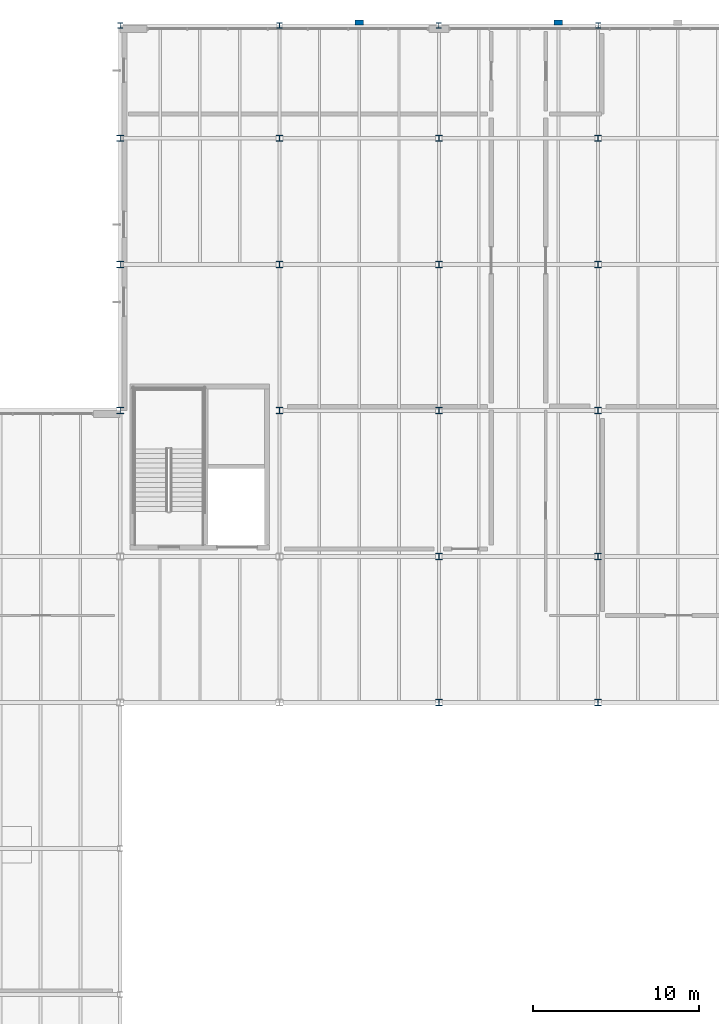
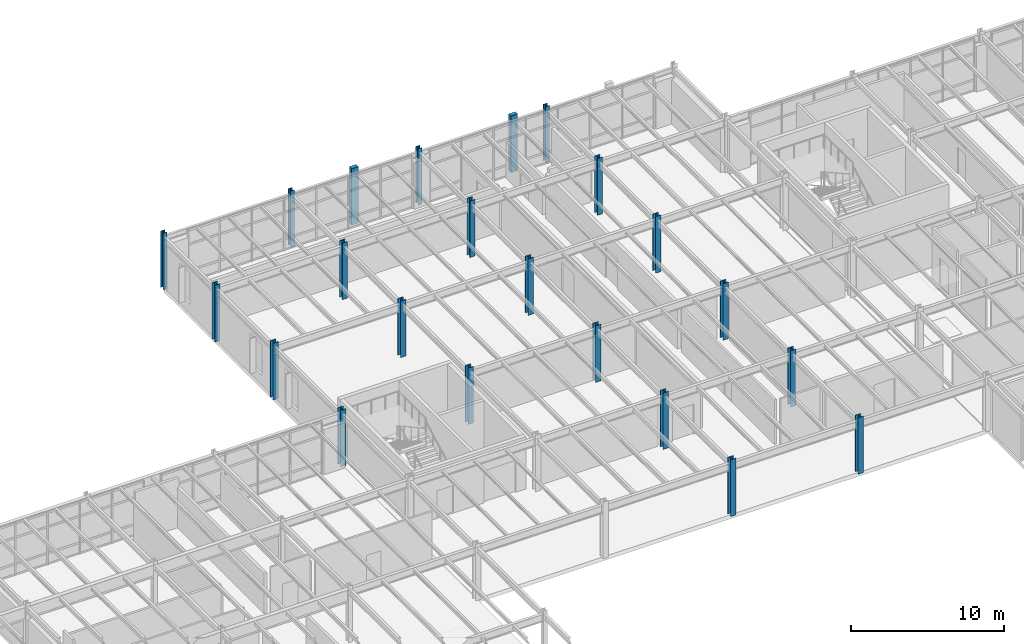
# One storey, part 9 of 77: 22 columns.
"""IFC4 building model written with IfcOpenShell, lengths in metres."""

from ifc_helpers import new_model, si_unit, direction, frame, origin, origin_2d, place, context, subcontext, project, spatial, rectangle, i_section, extrude, material, material_profile, profile_set, type_object, element, save


model = new_model("IFC4")

# Units and contexts
model_context = context("Model", 3, precision=1e-05, world=origin(), true_north=direction((0.0, 1.0)))
body_context = subcontext(model_context, "Body", "Model", "MODEL_VIEW")
ifc_project = project(units=[si_unit("LENGTHUNIT", "METRE"), si_unit("AREAUNIT", "SQUARE_METRE"), si_unit("VOLUMEUNIT", "CUBIC_METRE"), si_unit("PLANEANGLEUNIT", "RADIAN"), si_unit("MASSUNIT", "GRAM", prefix="KILO")], contexts=[model_context])

# Site, building, storey
site_placement = place(None, origin())
site = spatial("IfcSite", under=ifc_project, at=site_placement, CompositionType="ELEMENT")
building_placement = place(site_placement, origin())
building = spatial("IfcBuilding", under=site, at=building_placement, Name="Sarnbrook Museum", CompositionType="ELEMENT")
storey_placement = place(building_placement, frame((0.0, 0.0, 5.60009765625)))
storey = spatial("IfcBuildingStorey", under=building, at=storey_placement, Name="L01", CompositionType="ELEMENT", Elevation=5.60009765625)

# Columns
ifc_material_1 = material(Name="Structural Steel Grade 300PLUS (AS/NZS 3679.1, fy = 280 MPa for 17 < t <= 40 mm, 300 MPa for t <= 17 mm)", Category="steel")
ifc_material_profile_1 = material_profile(ifc_material_1, i_section(OverallWidth=0.31103515625, OverallDepth=0.326904296875, WebThickness=0.015625, FlangeThickness=0.02490234375, FilletRadius=0.0166015625, at=origin_2d()), Name="310UC158")
ifc_profile_set_1 = profile_set([ifc_material_profile_1], Name="Structural Steel Grade 300PLUS (AS/NZS 3679.1, fy = 280 MPa for 17 < t <= 40 mm, 300 MPa for t <= 17 mm)")
column_type_1 = type_object("IfcColumnType", Name="COL-UC310H", PredefinedType="COLUMN", material=ifc_profile_set_1)
for number, where, z_axis, x_axis, name in (
    (1, (42.39990234375, 115.199951171875, 0.0), (0.0, 0.0, 1.0), (1.0, 0.0, 0.0), "Column 5-P L01"),
    (2, (52.0, 115.199951171875, 0.0), (0.0, 0.0, 1.0), (1.0, 0.0, 0.0), "Column 6-P L01"),
    (3, (61.60009765625, 115.199951171875, 0.0), (0.0, 0.0, 1.0), (1.0, 0.0, 0.0), "Column 7-P L01"),
    (4, (71.199951171875, 115.199951171875, 0.0), (0.0, 0.0, 1.0), (1.0, 0.0, 0.0), "Column 8-P L01"),
):
    element("IfcColumn", number, at=place(storey_placement, frame(where, z_axis=z_axis, x_axis=x_axis)), inside=storey, type_object=column_type_1, Name=name, PredefinedType="COLUMN", context=body_context, shape_type="SweptSolid", body=[
        extrude(i_section(OverallWidth=0.31103515625, OverallDepth=0.326904296875, WebThickness=0.015625, FlangeThickness=0.02490234375, FilletRadius=0.0166015625, at=origin_2d()), origin(), (0.0, 0.0, 1.0), 4.5),
    ])
ifc_material_2 = material(Name="Structural Steel Grade 350L0 (AS/NZS 3678, fy = 340 MPa for 20 < t <= 40 mm)", Category="steel")
ifc_material_profile_2 = material_profile(ifc_material_2, i_section(OverallWidth=0.39990234375, OverallDepth=0.382080078125, WebThickness=0.02490234375, FlangeThickness=0.035888671875, at=origin_2d()), Name="400WC270")
ifc_profile_set_2 = profile_set([ifc_material_profile_2], Name="Structural Steel Grade 350L0 (AS/NZS 3678, fy = 340 MPa for 20 < t <= 40 mm)")
column_type_2 = type_object("IfcColumnType", Name="COL-WC400", PredefinedType="COLUMN", material=ifc_profile_set_2)
for number, where, z_axis, x_axis, name in (
    (5, (42.39990234375, 92.0, 0.0), (0.0, 0.0, 1.0), (1.0, 0.0, 0.0), "Column 5-L L01"),
    (6, (42.39990234375, 100.800048828125, 0.0), (0.0, 0.0, 1.0), (1.0, 0.0, 0.0), "Column 5-M L01"),
    (7, (42.39990234375, 108.39990234375, 0.0), (0.0, 0.0, 1.0), (1.0, 0.0, 0.0), "Column 5-N L01"),
    (8, (52.0, 92.0, 0.0), (0.0, 0.0, 1.0), (1.0, 0.0, 0.0), "Column 6-L L01"),
    (9, (52.0, 100.800048828125, 0.0), (0.0, 0.0, 1.0), (1.0, 0.0, 0.0), "Column 6-M L01"),
    (10, (52.0, 108.39990234375, 0.0), (0.0, 0.0, 1.0), (1.0, 0.0, 0.0), "Column 6-N L01"),
    (11, (61.60009765625, 74.39990234375, 0.0), (0.0, 0.0, 1.0), (1.0, 0.0, 0.0), "Column 7-J L01"),
    (12, (61.60009765625, 83.199951171875, 0.0), (0.0, 0.0, 1.0), (1.0, 0.0, 0.0), "Column 7-K L01"),
    (13, (61.60009765625, 92.0, 0.0), (0.0, 0.0, 1.0), (1.0, 0.0, 0.0), "Column 7-L L01"),
    (14, (61.60009765625, 100.800048828125, 0.0), (0.0, 0.0, 1.0), (1.0, 0.0, 0.0), "Column 7-M L01"),
    (15, (61.60009765625, 108.39990234375, 0.0), (0.0, 0.0, 1.0), (1.0, 0.0, 0.0), "Column 7-N L01"),
    (16, (71.199951171875, 74.39990234375, 0.0), (0.0, 0.0, 1.0), (1.0, 0.0, 0.0), "Column 8-J L01"),
    (17, (71.199951171875, 83.199951171875, 0.0), (0.0, 0.0, 1.0), (1.0, 0.0, 0.0), "Column 8-K L01"),
    (18, (71.199951171875, 92.0, 0.0), (0.0, 0.0, 1.0), (1.0, 0.0, 0.0), "Column 8-L L01"),
    (19, (71.199951171875, 100.800048828125, 0.0), (0.0, 0.0, 1.0), (1.0, 0.0, 0.0), "Column 8-M L01"),
    (20, (71.199951171875, 108.39990234375, 0.0), (0.0, 0.0, 1.0), (1.0, 0.0, 0.0), "Column 8-N L01"),
):
    element("IfcColumn", number, at=place(storey_placement, frame(where, z_axis=z_axis, x_axis=x_axis)), inside=storey, type_object=column_type_2, Name=name, PredefinedType="COLUMN", context=body_context, shape_type="SweptSolid", body=[
        extrude(i_section(OverallWidth=0.39990234375, OverallDepth=0.382080078125, WebThickness=0.02490234375, FlangeThickness=0.035888671875, at=origin_2d()), origin(), (0.0, 0.0, 1.0), 4.5),
    ])
ifc_material_3 = material(Name="Concrete N40 (AS 3600, f'c = 40 MPa)", Category="concrete")
ifc_material_profile_3 = material_profile(ifc_material_3, rectangle(XDim=0.5, YDim=0.300048828125, at=origin_2d()), Name="PILASTER 500x300")
ifc_profile_set_3 = profile_set([ifc_material_profile_3], Name="Concrete N40 (AS 3600, f'c = 40 MPa)")
column_type_3 = type_object("IfcColumnType", Name="PIL-500x300", PredefinedType="PILASTER", material=ifc_profile_set_3)
for number, where, z_axis, x_axis, name in (
    (21, (56.800048828125, 115.3798828125, 0.0), (0.0, 0.0, 1.0), (1.0, 0.0, 0.0), "Sandstone Classical Pilaster P-N1 L01"),
    (22, (68.800048828125, 115.3798828125, 0.0), (0.0, 0.0, 1.0), (1.0, 0.0, 0.0), "Sandstone Classical Pilaster P-N2 L01"),
):
    element("IfcColumn", number, at=place(storey_placement, frame(where, z_axis=z_axis, x_axis=x_axis)), inside=storey, type_object=column_type_3, Name=name, PredefinedType="PILASTER", context=body_context, shape_type="SweptSolid", body=[
        extrude(rectangle(XDim=0.5, YDim=0.300048828125, at=origin_2d()), origin(), (0.0, 0.0, 1.0), 4.5),
    ])

save(model, "model.ifc")
